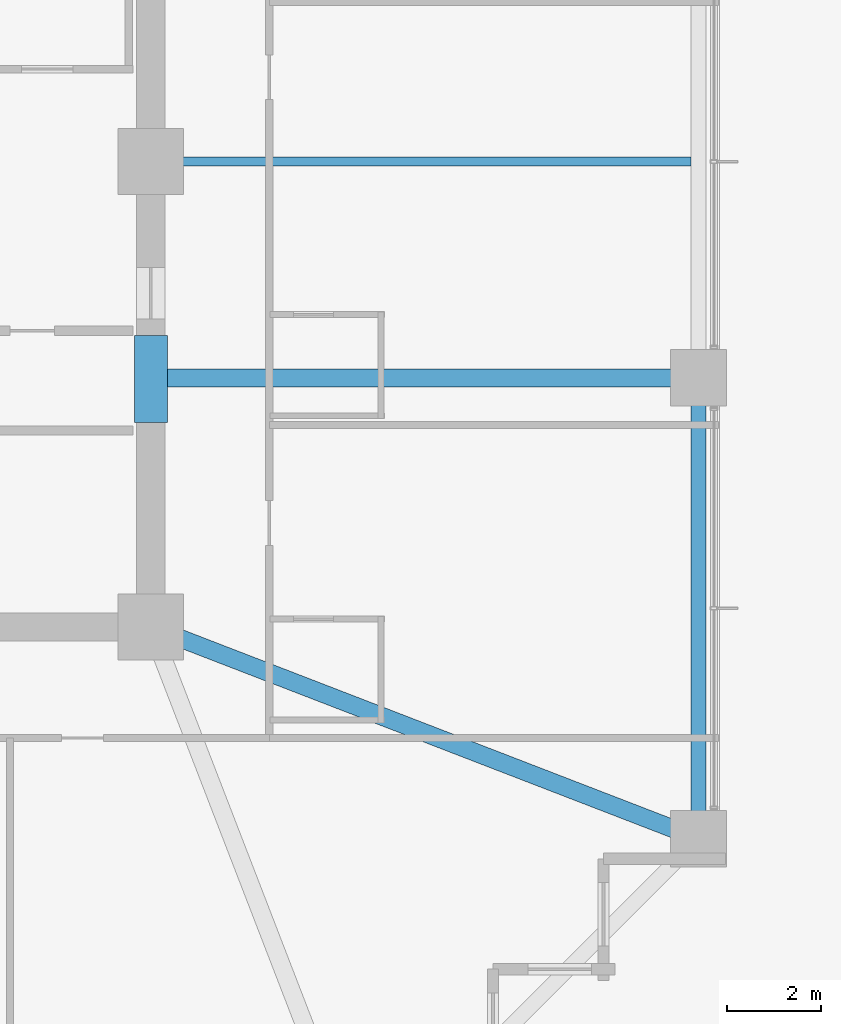
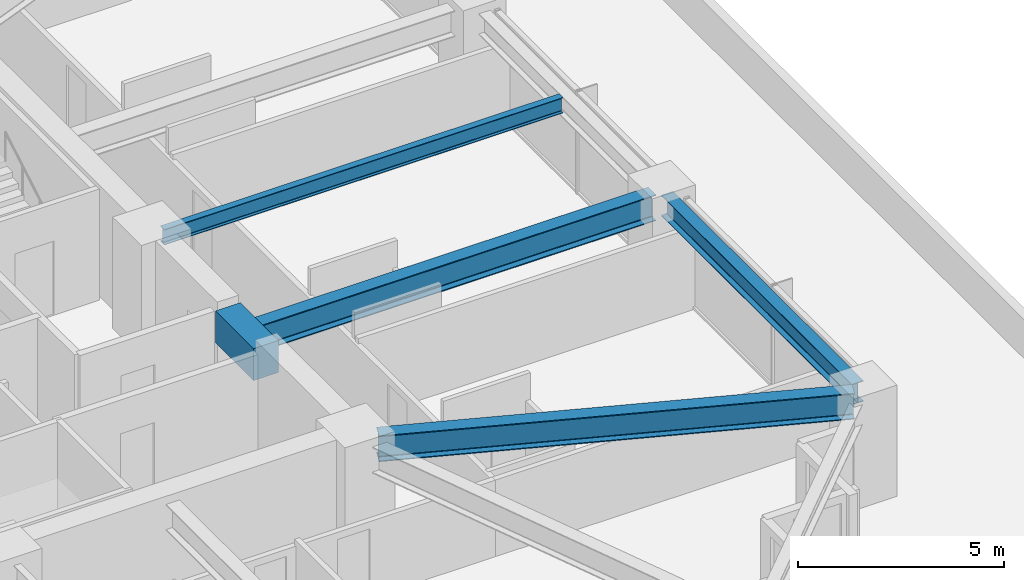
# One storey, part 13 of 36: 5 beams.
"""IFC4 building model written with IfcOpenShell, lengths in metres."""

from ifc_helpers import new_model, si_unit, direction, frame, origin, origin_2d, place, context, subcontext, project, spatial, rectangle, i_section, extrude, material, material_profile, profile_set, type_object, element, save


model = new_model("IFC4")

# Units and contexts
model_context = context("Model", 3, precision=1e-05, world=origin(), true_north=direction((0.0, 1.0)))
body_context = subcontext(model_context, "Body", "Model", "MODEL_VIEW")
ifc_project = project(units=[si_unit("LENGTHUNIT", "METRE"), si_unit("AREAUNIT", "SQUARE_METRE"), si_unit("VOLUMEUNIT", "CUBIC_METRE"), si_unit("PLANEANGLEUNIT", "RADIAN"), si_unit("MASSUNIT", "GRAM", prefix="KILO")], contexts=[model_context])

# Site, building, storey
site_placement = place(None, origin())
site = spatial("IfcSite", under=ifc_project, at=site_placement, CompositionType="ELEMENT")
building_placement = place(site_placement, origin())
building = spatial("IfcBuilding", under=site, at=building_placement, Name="Kolvaren Belvedere", CompositionType="ELEMENT")
storey_placement = place(building_placement, frame((0.0, 0.0, 23.800048828125)))
storey = spatial("IfcBuildingStorey", under=building, at=storey_placement, Name="L06", CompositionType="ELEMENT", Elevation=23.800048828125)

# Beams
ifc_material_1 = material(Name="Structural steel ASTM A992 Grade 50", Category="steel")
ifc_material_profile_1 = material_profile(ifc_material_1, i_section(OverallWidth=0.381103515625, OverallDepth=0.77294921875, WebThickness=0.0166015625, FlangeThickness=0.027099609375, FilletRadius=0.02392578125, at=origin_2d()), Name="W30X173")
ifc_profile_set_1 = profile_set([ifc_material_profile_1], Name="Structural steel ASTM A992 Grade 50")
beam_type_1 = type_object("IfcBeamType", Name="BM-GIRD-W30X173", PredefinedType="BEAM", material=ifc_profile_set_1)
beam_1_placement = place(storey_placement, frame((10.199951171875, -4.60009765625, 2.67333984375), z_axis=(1.0, 0.0, 0.0), x_axis=(0.0, 1.0, 0.0)))
element("IfcBeam", 1, at=beam_1_placement, inside=storey, type_object=beam_type_1, Name="L06 East Radial Girder M", PredefinedType="BEAM", context=body_context, shape_type="SweptSolid", body=[
    extrude(i_section(OverallWidth=0.381103515625, OverallDepth=0.77294921875, WebThickness=0.0166015625, FlangeThickness=0.027099609375, FilletRadius=0.02392578125, at=origin_2d()), origin(), (0.0, 0.0, 1.0), 11.080078125),
])
beam_2_placement = place(storey_placement, frame((10.4130859375, -10.09814453125, 2.67333984375), z_axis=(0.932829382313, -0.360318391835, 0.0), x_axis=(0.360318391835, 0.932829382313, 0.0)))
element("IfcBeam", 2, at=beam_2_placement, inside=storey, type_object=beam_type_1, Name="L06 Corner Core-to-Perimeter Girder CC2-E1", PredefinedType="BEAM", context=body_context, shape_type="SweptSolid", body=[
    extrude(i_section(OverallWidth=0.381103515625, OverallDepth=0.77294921875, WebThickness=0.0166015625, FlangeThickness=0.027099609375, FilletRadius=0.02392578125, at=origin_2d()), origin(), (0.0, 0.0, 1.0), 11.698974609375),
])
ifc_material_2 = material(Name="Structural steel ASTM A992 Grade 50", Category="steel")
ifc_material_profile_2 = material_profile(ifc_material_2, i_section(OverallWidth=0.19091796875, OverallDepth=0.4599609375, WebThickness=0.010009765625, FlangeThickness=0.01611328125, FilletRadius=0.014892578125, at=origin_2d()), Name="W18X55")
ifc_profile_set_2 = profile_set([ifc_material_profile_2], Name="Structural steel ASTM A992 Grade 50")
beam_type_2 = type_object("IfcBeamType", Name="BM-JOIST-W18X55", PredefinedType="BEAM", material=ifc_profile_set_2)
beam_3_placement = place(storey_placement, frame((10.199951171875, 0.0, 2.829833984375), z_axis=(1.0, 0.0, 0.0), x_axis=(0.0, 1.0, 0.0)))
element("IfcBeam", 3, at=beam_3_placement, inside=storey, type_object=beam_type_2, Name="L06 East Centre Floor Beam", PredefinedType="BEAM", context=body_context, shape_type="SweptSolid", body=[
    extrude(i_section(OverallWidth=0.19091796875, OverallDepth=0.4599609375, WebThickness=0.010009765625, FlangeThickness=0.01611328125, FilletRadius=0.014892578125, at=origin_2d()), origin(), (0.0, 0.0, 1.0), 11.1875),
])
ifc_material_3 = material(Name="Concrete C60/75", Category="concrete")
ifc_material_profile_3 = material_profile(ifc_material_3, rectangle(XDim=0.699951171875, YDim=0.949951171875, at=origin_2d()), Name="RC 700X950")
ifc_profile_set_3 = profile_set([ifc_material_profile_3], Name="Concrete C60/75")
beam_type_3 = type_object("IfcBeamType", Name="BM-LINT-950", PredefinedType="LINTEL", material=ifc_profile_set_3)
beam_4_placement = place(storey_placement, frame((9.89990234375, -5.550048828125, 2.5849609375), z_axis=(0.0, 1.0, 0.0), x_axis=(-1.0, 0.0, 0.0)))
element("IfcBeam", 4, at=beam_4_placement, inside=storey, type_object=beam_type_3, Name="L06 East Core Coupling Lintel", PredefinedType="LINTEL", context=body_context, shape_type="SweptSolid", body=[
    extrude(rectangle(XDim=0.699951171875, YDim=0.949951171875, at=origin_2d()), origin(), (0.0, 0.0, 1.0), 1.85009765625),
])
ifc_material_4 = material(Name="Structural steel ASTM A992 Grade 50", Category="steel")
ifc_material_profile_4 = material_profile(ifc_material_4, i_section(OverallWidth=0.324951171875, OverallDepth=0.615966796875, WebThickness=0.013916015625, FlangeThickness=0.021484375, FilletRadius=0.02001953125, at=origin_2d()), Name="W24X117")
ifc_profile_set_4 = profile_set([ifc_material_profile_4], Name="Structural steel ASTM A992 Grade 50")
beam_type_4 = type_object("IfcBeamType", Name="BM-SPAN-W24X117", PredefinedType="SPANDREL", material=ifc_profile_set_4)
beam_5_placement = place(storey_placement, frame((21.550048828125, -14.1298828125, 2.751953125), z_axis=(0.0, 1.0, 0.0), x_axis=(-1.0, 0.0, 0.0)))
element("IfcBeam", 5, at=beam_5_placement, inside=storey, type_object=beam_type_4, Name="L06 Perimeter Spandrel E1-E2", PredefinedType="SPANDREL", context=body_context, shape_type="SweptSolid", body=[
    extrude(i_section(OverallWidth=0.324951171875, OverallDepth=0.615966796875, WebThickness=0.013916015625, FlangeThickness=0.021484375, FilletRadius=0.02001953125, at=origin_2d()), origin(), (0.0, 0.0, 1.0), 9.259765625),
])

save(model, "model.ifc")
